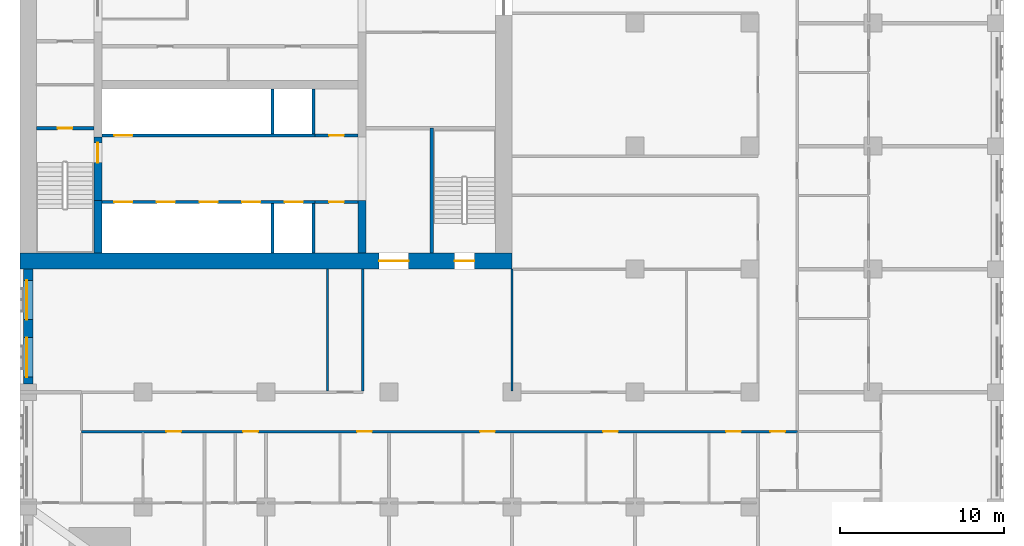
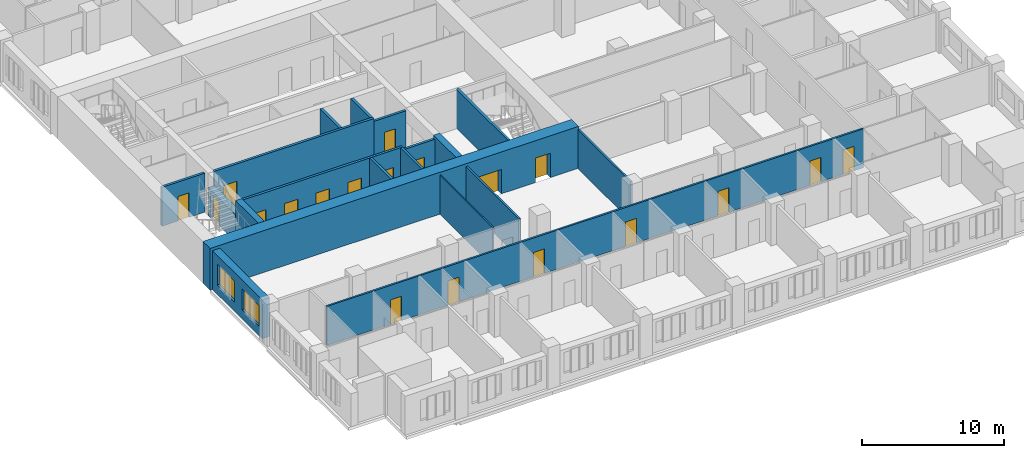
# One storey, part 5 of 14: 19 doors, 19 walls, 2 windows, 21 openings.
"""IFC4 building model written with IfcOpenShell, lengths in metres."""

import ifcopenshell
import ifcopenshell.guid

model = None  # the IFC model being written
_history = None  # IfcOwnerHistory: only IFC2X3 demands one
_inside = {}  # id of a spatial element -> (the spatial element, [elements in it])
_under = {}  # id of a project, library or spatial element -> (it, [spatial elements below it])
_declared = {}  # id of a project -> (the project, [libraries it declares])
_typed = {}  # id of a type object -> (the type object, [elements of that type])
_made_of = {}  # id of a material, layer set ... -> (it, [elements and type objects made of it])


def new_model(schema):
    """Start an empty IFC model of exactly this schema.

    Asked for "IFC4X3", IfcOpenShell would pick the latest addendum, in which some entities
    have other attributes; the version numbers below select the first issue.
    IFC2X3 requires an IfcOwnerHistory on every rooted entity: one is made here for all.
    """
    global model, _history
    if schema == "IFC4X3":
        model = ifcopenshell.file(schema_version=(4, 3, 0, 0))
    else:
        model = ifcopenshell.file(schema=schema)
    _inside.clear()
    _under.clear()
    _declared.clear()
    _typed.clear()
    _made_of.clear()
    _history = None
    if model.schema == "IFC2X3":
        org = make("IfcOrganization", Name="unknown")
        user = make(
            "IfcPersonAndOrganization",
            ThePerson=make("IfcPerson", FamilyName="unknown"),
            TheOrganization=org,
        )
        app = make(
            "IfcApplication",
            ApplicationDeveloper=org,
            Version="unknown",
            ApplicationFullName="unknown",
            ApplicationIdentifier="unknown",
        )
        _history = make(
            "IfcOwnerHistory",
            OwningUser=user,
            OwningApplication=app,
            ChangeAction="ADDED",
            CreationDate=0,
        )
    return model


def make(cls, **values):
    """One entity of the class cls with the attributes given. An attribute that is None is left unset."""
    return model.create_entity(
        cls, **{name: value for name, value in values.items() if value is not None}
    )


def rooted(cls, **values):
    """An entity with a GlobalId (a new one), such as an element, a storey or a relation."""
    return make(cls, GlobalId=ifcopenshell.guid.new(), OwnerHistory=_history, **values)


def si_unit(unit_type, name, prefix=None):
    """IfcSIUnit, for example si_unit("LENGTHUNIT", "METRE", prefix="MILLI")."""
    return make("IfcSIUnit", UnitType=unit_type, Prefix=prefix, Name=name)


def assignment(units):
    """IfcUnitAssignment: the units of a project."""
    return None if units is None else make("IfcUnitAssignment", Units=units)


def point(xyz):
    """IfcCartesianPoint."""
    return None if xyz is None else make("IfcCartesianPoint", Coordinates=xyz)


def direction(xyz):
    """IfcDirection."""
    return None if xyz is None else make("IfcDirection", DirectionRatios=xyz)


def frame(location, z_axis=None, x_axis=None):
    """IfcAxis2Placement3D, a coordinate frame: its origin and axes. An axis left out is left unset."""
    return make(
        "IfcAxis2Placement3D",
        Location=point(location),
        Axis=direction(z_axis),
        RefDirection=direction(x_axis),
    )


def frame_2d(location, x_axis=None):
    """IfcAxis2Placement2D, a coordinate frame in the plane: its origin and x axis."""
    return make(
        "IfcAxis2Placement2D", Location=point(location), RefDirection=direction(x_axis)
    )


def origin():
    """The frame at (0, 0, 0) with its axes left unset."""
    return frame((0.0, 0.0, 0.0))


def place(relative_to, where):
    """IfcLocalPlacement: puts the frame where relative to a parent placement (None: the world)."""
    return make(
        "IfcLocalPlacement", PlacementRelTo=relative_to, RelativePlacement=where
    )


def context(
    kind, dimensions, precision=None, world=None, true_north=None, identifier=None
):
    """IfcGeometricRepresentationContext, for example the 3D "Model" context."""
    return make(
        "IfcGeometricRepresentationContext",
        ContextIdentifier=identifier,
        ContextType=kind,
        CoordinateSpaceDimension=dimensions,
        Precision=precision,
        WorldCoordinateSystem=world,
        TrueNorth=true_north,
    )


def subcontext(parent, identifier, kind, view, scale=None):
    """IfcGeometricRepresentationSubContext, for example "Body" below "Model"."""
    return make(
        "IfcGeometricRepresentationSubContext",
        ContextIdentifier=identifier,
        ContextType=kind,
        ParentContext=parent,
        TargetScale=scale,
        TargetView=view,
    )


def project(units=None, contexts=None):
    """IfcProject with its units and contexts."""
    return rooted(
        "IfcProject",
        Name="project",
        RepresentationContexts=contexts,
        UnitsInContext=assignment(units),
    )


def spatial(cls, under=None, at=None, **own):
    """A site, building, storey or space (cls), placed at a placement, below another one or the project."""
    s = rooted(cls, ObjectPlacement=at, **own)
    if under is not None:
        _under.setdefault(under.id(), (under, []))[1].append(s)
    return s


def profile(cls, at=None, kind="AREA", **sizes):
    """A parametric profile (cls). Its sizes go by their IFC names, for example OverallWidth=200.0."""
    return make(cls, ProfileType=kind, Position=at, **sizes)


def rectangle(**sizes):
    """IfcRectangleProfileDef."""
    return profile("IfcRectangleProfileDef", **sizes)


def extrude(swept, where, along, depth):
    """IfcExtrudedAreaSolid: the profile swept, set in the frame where, extruded along a direction by depth."""
    return make(
        "IfcExtrudedAreaSolid",
        SweptArea=swept,
        Position=where,
        ExtrudedDirection=direction(along),
        Depth=depth,
    )


def shape(context_of_items, identifier, shape_type, items):
    """IfcShapeRepresentation: the items that make up one representation, for example the "Body"."""
    return make(
        "IfcShapeRepresentation",
        ContextOfItems=context_of_items,
        RepresentationIdentifier=identifier,
        RepresentationType=shape_type,
        Items=items,
    )


def material(Name=None, Category=None):
    """IfcMaterial."""
    return make("IfcMaterial", Name=Name, Category=Category)


def layer(
    of_material, thickness, ventilated=None, Name=None, Category=None, Priority=None
):
    """IfcMaterialLayer: one layer of a wall or slab, of a material (None: an air gap)."""
    return make(
        "IfcMaterialLayer",
        Material=of_material,
        LayerThickness=thickness,
        IsVentilated=ventilated,
        Name=Name,
        Category=Category,
        Priority=Priority,
    )


def layer_set(layers, Name=None):
    """IfcMaterialLayerSet."""
    return make("IfcMaterialLayerSet", MaterialLayers=layers, LayerSetName=Name)


def made_of(thing, what):
    """Note that an element or type object is made of a material, layer set ...; save() writes the relation."""
    if what is not None:
        _made_of.setdefault(what.id(), (what, []))[1].append(thing)
    return thing


def type_object(cls, material=None, **own):
    """A type object (cls), such as IfcWallType, which elements share."""
    return made_of(rooted(cls, **own), material)


def element(
    cls,
    number,
    at=None,
    inside=None,
    cuts=None,
    type_object=None,
    material=None,
    context=None,
    identifier="Body",
    shape_type=None,
    held_by="IfcProductDefinitionShape",
    body=None,
    shapes=None,
    **own,
):
    """One element of the class cls, such as IfcWall. Its Tag is "e" and its number.

    at: its placement. inside: the storey or other place that contains it. cuts: it is an
    opening in that element (IfcRelVoidsElement). A single representation is given by context,
    identifier, shape_type and body (its items); several are given by shapes. held_by: the class
    of the entity that holds the representations. save() writes the other relations.
    """
    e = rooted(cls, Tag="e%d" % number, ObjectPlacement=at, **own)
    if body is not None:
        shapes = [shape(context, identifier, shape_type, body)]
    if shapes is not None:
        e.Representation = make(held_by, Representations=shapes)
    if inside is not None:
        _inside.setdefault(inside.id(), (inside, []))[1].append(e)
    if cuts is not None:
        rooted(
            "IfcRelVoidsElement", RelatingBuildingElement=cuts, RelatedOpeningElement=e
        )
    if type_object is not None:
        _typed.setdefault(type_object.id(), (type_object, []))[1].append(e)
    return made_of(e, material)


def fill(opening, filler):
    """IfcRelFillsElement: the door or window that sits in an opening."""
    return rooted(
        "IfcRelFillsElement",
        RelatingOpeningElement=opening,
        RelatedBuildingElement=filler,
    )


def aggregate(whole, parts):
    """IfcRelAggregates: a whole, such as a stair, and the parts it consists of."""
    return rooted("IfcRelAggregates", RelatingObject=whole, RelatedObjects=parts)


def save(model, path):
    """Write the relations noted so far, then the file.

    IfcRelAggregates (storeys below a building ...), IfcRelContainedInSpatialStructure (elements
    in a storey), IfcRelDefinesByType, IfcRelAssociatesMaterial and IfcRelDeclares: one each for
    every whole, place, type object, material and project.
    """
    for whole, parts in _under.values():
        aggregate(whole, parts)
    for where, things in _inside.values():
        rooted(
            "IfcRelContainedInSpatialStructure",
            RelatedElements=things,
            RelatingStructure=where,
        )
    for kind, things in _typed.values():
        rooted("IfcRelDefinesByType", RelatedObjects=things, RelatingType=kind)
    for what, things in _made_of.values():
        rooted("IfcRelAssociatesMaterial", RelatedObjects=things, RelatingMaterial=what)
    for by, libraries in _declared.values():
        rooted("IfcRelDeclares", RelatingContext=by, RelatedDefinitions=libraries)
    model.write(path)


model = new_model("IFC4")

# Units and contexts
model_context = context("Model", 3, precision=1e-05, world=origin(), true_north=direction((0.0, 1.0)))
body_context = subcontext(model_context, "Body", "Model", "MODEL_VIEW")
ifc_project = project(units=[si_unit("LENGTHUNIT", "METRE"), si_unit("AREAUNIT", "SQUARE_METRE"), si_unit("VOLUMEUNIT", "CUBIC_METRE"), si_unit("PLANEANGLEUNIT", "RADIAN"), si_unit("MASSUNIT", "GRAM", prefix="KILO")], contexts=[model_context])

# Site, building, storey
site_placement = place(None, origin())
site = spatial("IfcSite", under=ifc_project, at=site_placement, CompositionType="ELEMENT")
building_placement = place(site_placement, origin())
building = spatial("IfcBuilding", under=site, at=building_placement, Name="Tamorin Gate", CompositionType="ELEMENT")
storey_placement = place(building_placement, frame((0.0, 0.0, 86.300048828125)))
storey = spatial("IfcBuildingStorey", under=building, at=storey_placement, Name="L20", CompositionType="ELEMENT", Elevation=86.300048828125)

# Wall, openings, windows
ifc_material_1 = material(Name="Precast concrete C40/50", Category="concrete")
ifc_layer_1 = layer(ifc_material_1, 0.60009765625)
ifc_layer_set_1 = layer_set([ifc_layer_1], Name="Precast concrete C40/50")
wall_type_1 = type_object("IfcWallType", Name="Board-marked concrete facade panel 600", PredefinedType="SOLIDWALL", material=ifc_layer_set_1)
wall_1_placement = place(storey_placement, frame((30.5, 60.0, 0.0), z_axis=(0.0, 0.0, 1.0), x_axis=(0.0, -1.0, 0.0)))
wall_1 = element("IfcWall", 1, at=wall_1_placement, inside=storey, type_object=wall_type_1, Name="Facade panel", PredefinedType="SOLIDWALL", context=body_context, shape_type="SweptSolid", body=[
    extrude(rectangle(XDim=7.0, YDim=0.60009765625, at=frame_2d((3.5, 0.0))), origin(), (0.0, 0.0, 1.0), 3.349853515625),
])
opening_1_placement = place(wall_1_placement, frame((4.175048828125, 0.0, 0.800048828125)))
opening_1 = element("IfcOpeningElement", 2, at=opening_1_placement, cuts=wall_1, Name="Opening WN1", PredefinedType="OPENING", context=body_context, shape_type="SweptSolid", body=[
    extrude(rectangle(XDim=2.39990234375, YDim=1.800048828125, at=frame_2d((1.199951171875, 0.89990234375))), frame((0.0, 0.31005859375, 0.0), z_axis=(0.0, -1.0, 0.0), x_axis=(1.0, 0.0, 0.0)), (0.0, 0.0, 1.0), 0.6201171875),
])
opening_2_placement = place(wall_1_placement, frame((0.675048828125, 0.0, 0.800048828125)))
opening_2 = element("IfcOpeningElement", 3, at=opening_2_placement, cuts=wall_1, Name="Opening WN1", PredefinedType="OPENING", context=body_context, shape_type="SweptSolid", body=[
    extrude(rectangle(XDim=2.39990234375, YDim=1.800048828125, at=frame_2d((1.199951171875, 0.89990234375))), frame((0.0, 0.31005859375, 0.0), z_axis=(0.0, -1.0, 0.0), x_axis=(1.0, 0.0, 0.0)), (0.0, 0.0, 1.0), 0.6201171875),
])
ifc_material_2 = material(Name="Clear glass in aluminium frame", Category="aluminium")
window_type = type_object("IfcWindowType", Name="Deep-set window 2400x1800", PartitioningType="SINGLE_PANEL", PredefinedType="WINDOW", material=ifc_material_2)
window_1_placement = place(opening_1_placement, origin())
window_1 = element("IfcWindow", 4, at=window_1_placement, inside=storey, type_object=window_type, Name="Deep-set window", OverallHeight=1.800048828125, OverallWidth=2.39990234375, PartitioningType="SINGLE_PANEL", PredefinedType="WINDOW", context=body_context, shape_type="SweptSolid", body=[
    extrude(rectangle(XDim=2.39990234375, YDim=1.800048828125, at=frame_2d((1.199951171875, 0.89990234375))), frame((0.0, -0.070068359375, 0.0), z_axis=(0.0, -1.0, 0.0), x_axis=(1.0, 0.0, 0.0)), (0.0, 0.0, 1.0), 0.06005859375),
])
fill(opening_1, window_1)
window_2_placement = place(opening_2_placement, origin())
window_2 = element("IfcWindow", 5, at=window_2_placement, inside=storey, type_object=window_type, Name="Deep-set window", OverallHeight=1.800048828125, OverallWidth=2.39990234375, PartitioningType="SINGLE_PANEL", PredefinedType="WINDOW", context=body_context, shape_type="SweptSolid", body=[
    extrude(rectangle(XDim=2.39990234375, YDim=1.800048828125, at=frame_2d((1.199951171875, 0.89990234375))), frame((0.0, -0.070068359375, 0.0), z_axis=(0.0, -1.0, 0.0), x_axis=(1.0, 0.0, 0.0)), (0.0, 0.0, 1.0), 0.06005859375),
])
fill(opening_2, window_2)

# Wall, openings, doors
ifc_material_3 = material(Name="Gypsum board partition")
ifc_layer_2 = layer(ifc_material_3, 0.14990234375)
ifc_layer_set_2 = layer_set([ifc_layer_2], Name="Corridor wall 150")
wall_type_2 = type_object("IfcWallType", Name="Corridor wall 150", PredefinedType="PARTITIONING", material=ifc_layer_set_2)
wall_2_placement = place(storey_placement, frame((33.75, 50.10009765625, 0.0), z_axis=(0.0, 0.0, 1.0), x_axis=(1.0, 0.0, 0.0)))
wall_2 = element("IfcWall", 6, at=wall_2_placement, inside=storey, type_object=wall_type_2, Name="Corridor wall 150", PredefinedType="PARTITIONING", context=body_context, shape_type="SweptSolid", body=[
    extrude(rectangle(XDim=43.64990234375, YDim=0.14990234375, at=frame_2d((21.824951171875, 0.0))), origin(), (0.0, 0.0, 1.0), 3.349853515625),
])
opening_3_placement = place(wall_2_placement, frame((5.175048828125, 0.0, 0.0)))
opening_3 = element("IfcOpeningElement", 7, at=opening_3_placement, cuts=wall_2, Name="Opening DH7003", PredefinedType="OPENING", context=body_context, shape_type="SweptSolid", body=[
    extrude(rectangle(XDim=0.89990234375, YDim=2.10009765625, at=frame_2d((0.449951171875, 1.050048828125))), frame((0.0, 0.0849609375, 0.0), z_axis=(0.0, -1.0, 0.0), x_axis=(1.0, 0.0, 0.0)), (0.0, 0.0, 1.0), 0.169921875),
])
opening_4_placement = place(wall_2_placement, frame((9.862548828125, 0.0, 0.0)))
opening_4 = element("IfcOpeningElement", 8, at=opening_4_placement, cuts=wall_2, Name="Opening DH7006", PredefinedType="OPENING", context=body_context, shape_type="SweptSolid", body=[
    extrude(rectangle(XDim=0.89990234375, YDim=2.10009765625, at=frame_2d((0.449951171875, 1.050048828125))), frame((0.0, 0.0849609375, 0.0), z_axis=(0.0, -1.0, 0.0), x_axis=(1.0, 0.0, 0.0)), (0.0, 0.0, 1.0), 0.169921875),
])
opening_5_placement = place(wall_2_placement, frame((16.800048828125, 0.0, 0.0)))
opening_5 = element("IfcOpeningElement", 9, at=opening_5_placement, cuts=wall_2, Name="Opening DH7009", PredefinedType="OPENING", context=body_context, shape_type="SweptSolid", body=[
    extrude(rectangle(XDim=0.89990234375, YDim=2.10009765625, at=frame_2d((0.449951171875, 1.050048828125))), frame((0.0, 0.0849609375, 0.0), z_axis=(0.0, -1.0, 0.0), x_axis=(1.0, 0.0, 0.0)), (0.0, 0.0, 1.0), 0.169921875),
])
opening_6_placement = place(wall_2_placement, frame((24.300048828125, 0.0, 0.0)))
opening_6 = element("IfcOpeningElement", 10, at=opening_6_placement, cuts=wall_2, Name="Opening DH7012", PredefinedType="OPENING", context=body_context, shape_type="SweptSolid", body=[
    extrude(rectangle(XDim=0.89990234375, YDim=2.10009765625, at=frame_2d((0.449951171875, 1.050048828125))), frame((0.0, 0.0849609375, 0.0), z_axis=(0.0, -1.0, 0.0), x_axis=(1.0, 0.0, 0.0)), (0.0, 0.0, 1.0), 0.169921875),
])
opening_7_placement = place(wall_2_placement, frame((31.800048828125, 0.0, 0.0)))
opening_7 = element("IfcOpeningElement", 11, at=opening_7_placement, cuts=wall_2, Name="Opening DH7015", PredefinedType="OPENING", context=body_context, shape_type="SweptSolid", body=[
    extrude(rectangle(XDim=0.89990234375, YDim=2.10009765625, at=frame_2d((0.449951171875, 1.050048828125))), frame((0.0, 0.0849609375, 0.0), z_axis=(0.0, -1.0, 0.0), x_axis=(1.0, 0.0, 0.0)), (0.0, 0.0, 1.0), 0.169921875),
])
opening_8_placement = place(wall_2_placement, frame((39.300048828125, 0.0, 0.0)))
opening_8 = element("IfcOpeningElement", 12, at=opening_8_placement, cuts=wall_2, Name="Opening DH7018", PredefinedType="OPENING", context=body_context, shape_type="SweptSolid", body=[
    extrude(rectangle(XDim=0.89990234375, YDim=2.10009765625, at=frame_2d((0.449951171875, 1.050048828125))), frame((0.0, 0.0849609375, 0.0), z_axis=(0.0, -1.0, 0.0), x_axis=(1.0, 0.0, 0.0)), (0.0, 0.0, 1.0), 0.169921875),
])
opening_9_placement = place(wall_2_placement, frame((42.0, 0.0, 0.0)))
opening_9 = element("IfcOpeningElement", 13, at=opening_9_placement, cuts=wall_2, Name="Opening DH7054", PredefinedType="OPENING", context=body_context, shape_type="SweptSolid", body=[
    extrude(rectangle(XDim=0.89990234375, YDim=2.10009765625, at=frame_2d((0.449951171875, 1.050048828125))), frame((0.0, 0.0849609375, 0.0), z_axis=(0.0, -1.0, 0.0), x_axis=(1.0, 0.0, 0.0)), (0.0, 0.0, 1.0), 0.169921875),
])
ifc_material_4 = material(Name="Timber door leaf", Category="wood")
door_type_1 = type_object("IfcDoorType", Name="Door 900 x 2100 FD30S", OperationType="NOTDEFINED", PredefinedType="DOOR", material=ifc_material_4)
door_1_placement = place(opening_3_placement, origin())
door_1 = element("IfcDoor", 14, at=door_1_placement, inside=storey, type_object=door_type_1, Name="Door DH7003", OperationType="SINGLE_SWING_RIGHT", OverallHeight=2.10009765625, OverallWidth=0.89990234375, PredefinedType="DOOR", context=body_context, shape_type="SweptSolid", body=[
    extrude(rectangle(XDim=0.89990234375, YDim=2.10009765625, at=frame_2d((0.449951171875, 1.050048828125))), frame((0.0, 0.02490234375, 0.0), z_axis=(0.0, -1.0, 0.0), x_axis=(1.0, 0.0, 0.0)), (0.0, 0.0, 1.0), 0.050048828125),
])
fill(opening_3, door_1)
door_2_placement = place(opening_4_placement, origin())
door_2 = element("IfcDoor", 15, at=door_2_placement, inside=storey, type_object=door_type_1, Name="Door DH7006", OperationType="SINGLE_SWING_RIGHT", OverallHeight=2.10009765625, OverallWidth=0.89990234375, PredefinedType="DOOR", context=body_context, shape_type="SweptSolid", body=[
    extrude(rectangle(XDim=0.89990234375, YDim=2.10009765625, at=frame_2d((0.449951171875, 1.050048828125))), frame((0.0, 0.02490234375, 0.0), z_axis=(0.0, -1.0, 0.0), x_axis=(1.0, 0.0, 0.0)), (0.0, 0.0, 1.0), 0.050048828125),
])
fill(opening_4, door_2)
door_3_placement = place(opening_5_placement, origin())
door_3 = element("IfcDoor", 16, at=door_3_placement, inside=storey, type_object=door_type_1, Name="Door DH7009", OperationType="SINGLE_SWING_RIGHT", OverallHeight=2.10009765625, OverallWidth=0.89990234375, PredefinedType="DOOR", context=body_context, shape_type="SweptSolid", body=[
    extrude(rectangle(XDim=0.89990234375, YDim=2.10009765625, at=frame_2d((0.449951171875, 1.050048828125))), frame((0.0, 0.02490234375, 0.0), z_axis=(0.0, -1.0, 0.0), x_axis=(1.0, 0.0, 0.0)), (0.0, 0.0, 1.0), 0.050048828125),
])
fill(opening_5, door_3)
door_4_placement = place(opening_6_placement, origin())
door_4 = element("IfcDoor", 17, at=door_4_placement, inside=storey, type_object=door_type_1, Name="Door DH7012", OperationType="SINGLE_SWING_RIGHT", OverallHeight=2.10009765625, OverallWidth=0.89990234375, PredefinedType="DOOR", context=body_context, shape_type="SweptSolid", body=[
    extrude(rectangle(XDim=0.89990234375, YDim=2.10009765625, at=frame_2d((0.449951171875, 1.050048828125))), frame((0.0, 0.02490234375, 0.0), z_axis=(0.0, -1.0, 0.0), x_axis=(1.0, 0.0, 0.0)), (0.0, 0.0, 1.0), 0.050048828125),
])
fill(opening_6, door_4)
door_5_placement = place(opening_7_placement, origin())
door_5 = element("IfcDoor", 18, at=door_5_placement, inside=storey, type_object=door_type_1, Name="Door DH7015", OperationType="SINGLE_SWING_RIGHT", OverallHeight=2.10009765625, OverallWidth=0.89990234375, PredefinedType="DOOR", context=body_context, shape_type="SweptSolid", body=[
    extrude(rectangle(XDim=0.89990234375, YDim=2.10009765625, at=frame_2d((0.449951171875, 1.050048828125))), frame((0.0, 0.02490234375, 0.0), z_axis=(0.0, -1.0, 0.0), x_axis=(1.0, 0.0, 0.0)), (0.0, 0.0, 1.0), 0.050048828125),
])
fill(opening_7, door_5)
door_6_placement = place(opening_8_placement, origin())
door_6 = element("IfcDoor", 19, at=door_6_placement, inside=storey, type_object=door_type_1, Name="Door DH7018", OperationType="SINGLE_SWING_RIGHT", OverallHeight=2.10009765625, OverallWidth=0.89990234375, PredefinedType="DOOR", context=body_context, shape_type="SweptSolid", body=[
    extrude(rectangle(XDim=0.89990234375, YDim=2.10009765625, at=frame_2d((0.449951171875, 1.050048828125))), frame((0.0, 0.02490234375, 0.0), z_axis=(0.0, -1.0, 0.0), x_axis=(1.0, 0.0, 0.0)), (0.0, 0.0, 1.0), 0.050048828125),
])
fill(opening_8, door_6)
door_7_placement = place(opening_9_placement, origin())
door_7 = element("IfcDoor", 20, at=door_7_placement, inside=storey, type_object=door_type_1, Name="Door DH7054", OperationType="SINGLE_SWING_LEFT", OverallHeight=2.10009765625, OverallWidth=0.89990234375, PredefinedType="DOOR", context=body_context, shape_type="SweptSolid", body=[
    extrude(rectangle(XDim=0.89990234375, YDim=2.10009765625, at=frame_2d((0.449951171875, 1.050048828125))), frame((0.0, 0.02490234375, 0.0), z_axis=(0.0, -1.0, 0.0), x_axis=(1.0, 0.0, 0.0)), (0.0, 0.0, 1.0), 0.050048828125),
])
fill(opening_9, door_7)

ifc_material_5 = material(Name="Concrete C32/40", Category="concrete")
ifc_layer_3 = layer(ifc_material_5, 0.199951171875)
ifc_layer_set_3 = layer_set([ifc_layer_3], Name="Lift lobby face wall 200 EI 120")
wall_type_3 = type_object("IfcWallType", Name="Lift lobby face wall 200 EI 120", PredefinedType="SOLIDWALL", material=ifc_layer_set_3)
wall_3_placement = place(storey_placement, frame((35.0, 64.10009765625, 0.0), z_axis=(0.0, 0.0, 1.0), x_axis=(1.0, 0.0, 0.0)))
wall_3 = element("IfcWall", 21, at=wall_3_placement, inside=storey, type_object=wall_type_3, Name="Lift lobby face wall", PredefinedType="SOLIDWALL", context=body_context, shape_type="SweptSolid", body=[
    extrude(rectangle(XDim=13.0, YDim=0.199951171875, at=frame_2d((6.5, 0.0))), origin(), (0.0, 0.0, 1.0), 3.599853515625),
])
opening_10_placement = place(wall_3_placement, frame((0.75, 0.0, 0.0)))
opening_10 = element("IfcOpeningElement", 22, at=opening_10_placement, cuts=wall_3, Name="Opening LD1", PredefinedType="OPENING", context=body_context, shape_type="SweptSolid", body=[
    extrude(rectangle(XDim=1.10009765625, YDim=2.10009765625, at=frame_2d((0.550048828125, 1.050048828125))), frame((0.0, 0.10986328125, 0.0), z_axis=(0.0, -1.0, 0.0), x_axis=(1.0, 0.0, 0.0)), (0.0, 0.0, 1.0), 0.219970703125),
])
opening_11_placement = place(wall_3_placement, frame((3.35009765625, 0.0, 0.0)))
opening_11 = element("IfcOpeningElement", 23, at=opening_11_placement, cuts=wall_3, Name="Opening LD2", PredefinedType="OPENING", context=body_context, shape_type="SweptSolid", body=[
    extrude(rectangle(XDim=1.10009765625, YDim=2.10009765625, at=frame_2d((0.550048828125, 1.050048828125))), frame((0.0, 0.10986328125, 0.0), z_axis=(0.0, -1.0, 0.0), x_axis=(1.0, 0.0, 0.0)), (0.0, 0.0, 1.0), 0.219970703125),
])
opening_12_placement = place(wall_3_placement, frame((5.949951171875, 0.0, 0.0)))
opening_12 = element("IfcOpeningElement", 24, at=opening_12_placement, cuts=wall_3, Name="Opening LD3", PredefinedType="OPENING", context=body_context, shape_type="SweptSolid", body=[
    extrude(rectangle(XDim=1.10009765625, YDim=2.10009765625, at=frame_2d((0.550048828125, 1.050048828125))), frame((0.0, 0.10986328125, 0.0), z_axis=(0.0, -1.0, 0.0), x_axis=(1.0, 0.0, 0.0)), (0.0, 0.0, 1.0), 0.219970703125),
])
opening_13_placement = place(wall_3_placement, frame((8.550048828125, 0.0, 0.0)))
opening_13 = element("IfcOpeningElement", 25, at=opening_13_placement, cuts=wall_3, Name="Opening LD4", PredefinedType="OPENING", context=body_context, shape_type="SweptSolid", body=[
    extrude(rectangle(XDim=1.10009765625, YDim=2.10009765625, at=frame_2d((0.550048828125, 1.050048828125))), frame((0.0, 0.10986328125, 0.0), z_axis=(0.0, -1.0, 0.0), x_axis=(1.0, 0.0, 0.0)), (0.0, 0.0, 1.0), 0.219970703125),
])
opening_14_placement = place(wall_3_placement, frame((11.14990234375, 0.0, 0.0)))
opening_14 = element("IfcOpeningElement", 26, at=opening_14_placement, cuts=wall_3, Name="Opening LD5", PredefinedType="OPENING", context=body_context, shape_type="SweptSolid", body=[
    extrude(rectangle(XDim=1.10009765625, YDim=2.10009765625, at=frame_2d((0.550048828125, 1.050048828125))), frame((0.0, 0.10986328125, 0.0), z_axis=(0.0, -1.0, 0.0), x_axis=(1.0, 0.0, 0.0)), (0.0, 0.0, 1.0), 0.219970703125),
])
ifc_material_6 = material(Name="Stainless steel sliding door", Category="steel")
door_type_2 = type_object("IfcDoorType", Name="Lift landing door 1100 x 2100 E 90", OperationType="DOUBLE_DOOR_SLIDING", PredefinedType="DOOR", material=ifc_material_6)
door_8_placement = place(opening_10_placement, origin())
door_8 = element("IfcDoor", 27, at=door_8_placement, inside=storey, type_object=door_type_2, Name="LR1 landing door", OperationType="DOUBLE_DOOR_SLIDING", OverallHeight=2.10009765625, OverallWidth=1.10009765625, PredefinedType="DOOR", context=body_context, shape_type="SweptSolid", body=[
    extrude(rectangle(XDim=1.10009765625, YDim=2.10009765625, at=frame_2d((0.550048828125, 1.050048828125))), frame((0.0, 0.02490234375, 0.0), z_axis=(0.0, -1.0, 0.0), x_axis=(1.0, 0.0, 0.0)), (0.0, 0.0, 1.0), 0.050048828125),
])
fill(opening_10, door_8)
door_9_placement = place(opening_11_placement, origin())
door_9 = element("IfcDoor", 28, at=door_9_placement, inside=storey, type_object=door_type_2, Name="LR2 landing door", OperationType="DOUBLE_DOOR_SLIDING", OverallHeight=2.10009765625, OverallWidth=1.10009765625, PredefinedType="DOOR", context=body_context, shape_type="SweptSolid", body=[
    extrude(rectangle(XDim=1.10009765625, YDim=2.10009765625, at=frame_2d((0.550048828125, 1.050048828125))), frame((0.0, 0.02490234375, 0.0), z_axis=(0.0, -1.0, 0.0), x_axis=(1.0, 0.0, 0.0)), (0.0, 0.0, 1.0), 0.050048828125),
])
fill(opening_11, door_9)
door_10_placement = place(opening_12_placement, origin())
door_10 = element("IfcDoor", 29, at=door_10_placement, inside=storey, type_object=door_type_2, Name="LR3 landing door", OperationType="DOUBLE_DOOR_SLIDING", OverallHeight=2.10009765625, OverallWidth=1.10009765625, PredefinedType="DOOR", context=body_context, shape_type="SweptSolid", body=[
    extrude(rectangle(XDim=1.10009765625, YDim=2.10009765625, at=frame_2d((0.550048828125, 1.050048828125))), frame((0.0, 0.02490234375, 0.0), z_axis=(0.0, -1.0, 0.0), x_axis=(1.0, 0.0, 0.0)), (0.0, 0.0, 1.0), 0.050048828125),
])
fill(opening_12, door_10)
door_11_placement = place(opening_13_placement, origin())
door_11 = element("IfcDoor", 30, at=door_11_placement, inside=storey, type_object=door_type_2, Name="LR4 landing door", OperationType="DOUBLE_DOOR_SLIDING", OverallHeight=2.10009765625, OverallWidth=1.10009765625, PredefinedType="DOOR", context=body_context, shape_type="SweptSolid", body=[
    extrude(rectangle(XDim=1.10009765625, YDim=2.10009765625, at=frame_2d((0.550048828125, 1.050048828125))), frame((0.0, 0.02490234375, 0.0), z_axis=(0.0, -1.0, 0.0), x_axis=(1.0, 0.0, 0.0)), (0.0, 0.0, 1.0), 0.050048828125),
])
fill(opening_13, door_11)
door_12_placement = place(opening_14_placement, origin())
door_12 = element("IfcDoor", 31, at=door_12_placement, inside=storey, type_object=door_type_2, Name="LR5 landing door", OperationType="DOUBLE_DOOR_SLIDING", OverallHeight=2.10009765625, OverallWidth=1.10009765625, PredefinedType="DOOR", context=body_context, shape_type="SweptSolid", body=[
    extrude(rectangle(XDim=1.10009765625, YDim=2.10009765625, at=frame_2d((0.550048828125, 1.050048828125))), frame((0.0, 0.02490234375, 0.0), z_axis=(0.0, -1.0, 0.0), x_axis=(1.0, 0.0, 0.0)), (0.0, 0.0, 1.0), 0.050048828125),
])
fill(opening_14, door_12)

# Wall, opening, door
wall_4_placement = place(storey_placement, frame((35.0, 68.14990234375, 0.0), z_axis=(0.0, 0.0, 1.0), x_axis=(1.0, 0.0, 0.0)))
wall_4 = element("IfcWall", 32, at=wall_4_placement, inside=storey, type_object=wall_type_3, Name="Lift lobby face wall", PredefinedType="SOLIDWALL", context=body_context, shape_type="SweptSolid", body=[
    extrude(rectangle(XDim=13.0, YDim=0.199951171875, at=frame_2d((6.5, 0.0))), origin(), (0.0, 0.0, 1.0), 3.599853515625),
])
opening_15_placement = place(wall_4_placement, frame((0.75, 0.0, 0.0)))
opening_15 = element("IfcOpeningElement", 33, at=opening_15_placement, cuts=wall_4, Name="Opening LD6", PredefinedType="OPENING", context=body_context, shape_type="SweptSolid", body=[
    extrude(rectangle(XDim=1.10009765625, YDim=2.10009765625, at=frame_2d((0.550048828125, 1.050048828125))), frame((0.0, 0.10986328125, 0.0), z_axis=(0.0, -1.0, 0.0), x_axis=(1.0, 0.0, 0.0)), (0.0, 0.0, 1.0), 0.219970703125),
])
door_13_placement = place(opening_15_placement, origin())
door_13 = element("IfcDoor", 34, at=door_13_placement, inside=storey, type_object=door_type_2, Name="LR6 landing door", OperationType="DOUBLE_DOOR_SLIDING", OverallHeight=2.10009765625, OverallWidth=1.10009765625, PredefinedType="DOOR", context=body_context, shape_type="SweptSolid", body=[
    extrude(rectangle(XDim=1.10009765625, YDim=2.10009765625, at=frame_2d((0.550048828125, 1.050048828125))), frame((0.0, 0.02490234375, 0.0), z_axis=(0.0, -1.0, 0.0), x_axis=(1.0, 0.0, 0.0)), (0.0, 0.0, 1.0), 0.050048828125),
])
fill(opening_15, door_13)

# Walls
ifc_layer_4 = layer(ifc_material_5, 0.199951171875)
ifc_layer_set_4 = layer_set([ifc_layer_4], Name="Lift shaft wall 200 EI 120")
wall_type_4 = type_object("IfcWallType", Name="Lift shaft wall 200 EI 120", PredefinedType="SOLIDWALL", material=ifc_layer_set_4)
for number, where, z_axis, x_axis, name in (
    (35, (45.39990234375, 61.0, 0.0), (0.0, 0.0, 1.0), (0.0, 1.0, 0.0), "Lift shaft wall"),
    (36, (47.89990234375, 61.0, 0.0), (0.0, 0.0, 1.0), (0.0, 1.0, 0.0), "Lift shaft wall"),
):
    element("IfcWall", number, at=place(storey_placement, frame(where, z_axis=z_axis, x_axis=x_axis)), inside=storey, type_object=wall_type_4, Name=name, PredefinedType="SOLIDWALL", context=body_context, shape_type="SweptSolid", body=[
        extrude(rectangle(XDim=3.0, YDim=0.199951171875, at=frame_2d((1.5, 0.0))), origin(), (0.0, 0.0, 1.0), 3.599853515625),
    ])
for number, where, z_axis, x_axis, name in (
    (37, (45.39990234375, 68.25, 0.0), (0.0, 0.0, 1.0), (0.0, 1.0, 0.0), "Lift shaft wall"),
    (38, (47.89990234375, 68.25, 0.0), (0.0, 0.0, 1.0), (0.0, 1.0, 0.0), "Lift shaft wall"),
):
    element("IfcWall", number, at=place(storey_placement, frame(where, z_axis=z_axis, x_axis=x_axis)), inside=storey, type_object=wall_type_4, Name=name, PredefinedType="SOLIDWALL", context=body_context, shape_type="SweptSolid", body=[
        extrude(rectangle(XDim=2.75, YDim=0.199951171875, at=frame_2d((1.375, 0.0))), origin(), (0.0, 0.0, 1.0), 3.599853515625),
    ])
ifc_layer_5 = layer(ifc_material_3, 0.14990234375)
ifc_layer_set_5 = layer_set([ifc_layer_5], Name="Lobby wall 150")
wall_type_5 = type_object("IfcWallType", Name="Lobby wall 150", PredefinedType="PARTITIONING", material=ifc_layer_set_5)
for number, where, z_axis, x_axis, name in (
    (39, (50.89990234375, 52.574951171875, 0.0), (0.0, 0.0, 1.0), (0.0, 1.0, 0.0), "Lobby wall 150"),
    (40, (60.0, 52.574951171875, 0.0), (0.0, 0.0, 1.0), (0.0, 1.0, 0.0), "Lobby wall 150"),
):
    element("IfcWall", number, at=place(storey_placement, frame(where, z_axis=z_axis, x_axis=x_axis)), inside=storey, type_object=wall_type_5, Name=name, PredefinedType="PARTITIONING", context=body_context, shape_type="SweptSolid", body=[
        extrude(rectangle(XDim=7.425048828125, YDim=0.14990234375, at=frame_2d((3.71240234375, 0.0))), origin(), (0.0, 0.0, 1.0), 3.349853515625),
    ])
ifc_material_7 = material(Name="Concrete C80/95", Category="concrete")
ifc_layer_6 = layer(ifc_material_7, 0.5)
ifc_layer_set_6 = layer_set([ifc_layer_6], Name="RC core internal wall 500 C80/95")
wall_type_6 = type_object("IfcWallType", Name="RC core internal wall 500 C80/95", PredefinedType="SHEAR", material=ifc_layer_set_6)
for number, where, z_axis, x_axis, name in (
    (41, (34.75, 61.0, 0.0), (0.0, 0.0, 1.0), (0.0, 1.0, 0.0), "Core cross wall L20"),
    (42, (50.85009765625, 61.0, 0.0), (0.0, 0.0, 1.0), (0.0, 1.0, 0.0), "Core cross wall L20"),
):
    element("IfcWall", number, at=place(storey_placement, frame(where, z_axis=z_axis, x_axis=x_axis)), inside=storey, type_object=wall_type_6, Name=name, PredefinedType="SHEAR", context=body_context, shape_type="SweptSolid", body=[
        extrude(rectangle(XDim=3.199951171875, YDim=0.5, at=frame_2d((1.60009765625, 0.0))), origin(), (0.0, 0.0, 1.0), 3.599853515625),
    ])

# Wall, openings, doors
ifc_layer_7 = layer(ifc_material_7, 1.0)
ifc_layer_set_7 = layer_set([ifc_layer_7], Name="RC core wall 1000 C80/95")
wall_type_7 = type_object("IfcWallType", Name="RC core wall 1000 C80/95", PredefinedType="SHEAR", material=ifc_layer_set_7)
wall_5_placement = place(storey_placement, frame((30.0, 60.5, 0.0), z_axis=(0.0, 0.0, 1.0), x_axis=(1.0, 0.0, 0.0)))
wall_5 = element("IfcWall", 43, at=wall_5_placement, inside=storey, type_object=wall_type_7, Name="Core wall L20", PredefinedType="SHEAR", context=body_context, shape_type="SweptSolid", body=[
    extrude(rectangle(XDim=30.0, YDim=1.0, at=frame_2d((15.0, 0.0))), origin(), (0.0, 0.0, 1.0), 3.599853515625),
])
opening_16_placement = place(wall_5_placement, frame((21.89990234375, 0.0, 0.0)))
opening_16 = element("IfcOpeningElement", 44, at=opening_16_placement, cuts=wall_5, Name="Opening DE1", PredefinedType="OPENING", context=body_context, shape_type="SweptSolid", body=[
    extrude(rectangle(XDim=1.800048828125, YDim=2.10009765625, at=frame_2d((0.89990234375, 1.050048828125))), frame((0.0, 0.510009765625, 0.0), z_axis=(0.0, -1.0, 0.0), x_axis=(1.0, 0.0, 0.0)), (0.0, 0.0, 1.0), 1.02001953125),
])
opening_17_placement = place(wall_5_placement, frame((26.5, 0.0, 0.0)))
opening_17 = element("IfcOpeningElement", 45, at=opening_17_placement, cuts=wall_5, Name="Opening DS1", PredefinedType="OPENING", context=body_context, shape_type="SweptSolid", body=[
    extrude(rectangle(XDim=1.199951171875, YDim=2.10009765625, at=frame_2d((0.60009765625, 1.050048828125))), frame((0.0, 0.510009765625, 0.0), z_axis=(0.0, -1.0, 0.0), x_axis=(1.0, 0.0, 0.0)), (0.0, 0.0, 1.0), 1.02001953125),
])
ifc_material_8 = material(Name="Steel fire door", Category="steel")
door_type_3 = type_object("IfcDoorType", Name="Lobby exit double door 1800 x 2100 EI 60", OperationType="DOUBLE_DOOR_SINGLE_SWING", PredefinedType="DOOR", material=ifc_material_8)
door_14_placement = place(opening_16_placement, origin())
door_14 = element("IfcDoor", 46, at=door_14_placement, inside=storey, type_object=door_type_3, Name="Lift lobby A exit door", OperationType="DOUBLE_DOOR_SINGLE_SWING", OverallHeight=2.10009765625, OverallWidth=1.800048828125, PredefinedType="DOOR", context=body_context, shape_type="SweptSolid", body=[
    extrude(rectangle(XDim=1.800048828125, YDim=2.10009765625, at=frame_2d((0.89990234375, 1.050048828125))), frame((0.0, 0.02490234375, 0.0), z_axis=(0.0, -1.0, 0.0), x_axis=(1.0, 0.0, 0.0)), (0.0, 0.0, 1.0), 0.050048828125),
])
fill(opening_16, door_14)
door_type_4 = type_object("IfcDoorType", Name="Stair door 1200 x 2100 EI 90", OperationType="SINGLE_SWING_LEFT", PredefinedType="DOOR", material=ifc_material_8)
door_15_placement = place(opening_17_placement, origin())
door_15 = element("IfcDoor", 47, at=door_15_placement, inside=storey, type_object=door_type_4, Name="ST3 door", OperationType="SINGLE_SWING_LEFT", OverallHeight=2.10009765625, OverallWidth=1.199951171875, PredefinedType="DOOR", context=body_context, shape_type="SweptSolid", body=[
    extrude(rectangle(XDim=1.199951171875, YDim=2.10009765625, at=frame_2d((0.60009765625, 1.050048828125))), frame((0.0, 0.02490234375, 0.0), z_axis=(0.0, -1.0, 0.0), x_axis=(1.0, 0.0, 0.0)), (0.0, 0.0, 1.0), 0.050048828125),
])
fill(opening_17, door_15)

# Wall
ifc_layer_8 = layer(ifc_material_3, 0.10009765625)
ifc_layer_set_8 = layer_set([ifc_layer_8], Name="Room partition 100")
wall_type_8 = type_object("IfcWallType", Name="Room partition 100", PredefinedType="PARTITIONING", material=ifc_layer_set_8)
wall_6_placement = place(storey_placement, frame((48.75, 52.574951171875, 0.0), z_axis=(0.0, 0.0, 1.0), x_axis=(0.0, 1.0, 0.0)))
element("IfcWall", 48, at=wall_6_placement, inside=storey, type_object=wall_type_8, Name="Room partition 100", PredefinedType="PARTITIONING", context=body_context, shape_type="SweptSolid", body=[
    extrude(rectangle(XDim=7.425048828125, YDim=0.10009765625, at=frame_2d((3.71240234375, 0.0))), origin(), (0.0, 0.0, 1.0), 3.349853515625),
])

# Wall, opening, door
ifc_layer_9 = layer(ifc_material_3, 0.199951171875)
ifc_layer_set_9 = layer_set([ifc_layer_9], Name="Service room face wall 200 EI 60")
wall_type_9 = type_object("IfcWallType", Name="Service room face wall 200 EI 60", PredefinedType="PARTITIONING", material=ifc_layer_set_9)
wall_7_placement = place(storey_placement, frame((48.0, 64.10009765625, 0.0), z_axis=(0.0, 0.0, 1.0), x_axis=(1.0, 0.0, 0.0)))
wall_7 = element("IfcWall", 49, at=wall_7_placement, inside=storey, type_object=wall_type_9, Name="Service room face wall", PredefinedType="PARTITIONING", context=body_context, shape_type="SweptSolid", body=[
    extrude(rectangle(XDim=2.60009765625, YDim=0.199951171875, at=frame_2d((1.300048828125, 0.0))), origin(), (0.0, 0.0, 1.0), 3.349853515625),
])
opening_18_placement = place(wall_7_placement, frame((0.85009765625, 0.0, 0.0)))
opening_18 = element("IfcOpeningElement", 50, at=opening_18_placement, cuts=wall_7, Name="Opening DK1", PredefinedType="OPENING", context=body_context, shape_type="SweptSolid", body=[
    extrude(rectangle(XDim=0.89990234375, YDim=2.10009765625, at=frame_2d((0.449951171875, 1.050048828125))), frame((0.0, 0.10986328125, 0.0), z_axis=(0.0, -1.0, 0.0), x_axis=(1.0, 0.0, 0.0)), (0.0, 0.0, 1.0), 0.219970703125),
])
ifc_material_9 = material(Name="Timber fire door", Category="wood")
door_type_5 = type_object("IfcDoorType", Name="Service room door 900 x 2100 EI 60", OperationType="SINGLE_SWING_LEFT", PredefinedType="DOOR", material=ifc_material_9)
door_16_placement = place(opening_18_placement, origin())
door_16 = element("IfcDoor", 51, at=door_16_placement, inside=storey, type_object=door_type_5, Name="Door Laundry store", OperationType="SINGLE_SWING_RIGHT", OverallHeight=2.10009765625, OverallWidth=0.89990234375, PredefinedType="DOOR", context=body_context, shape_type="SweptSolid", body=[
    extrude(rectangle(XDim=0.89990234375, YDim=2.10009765625, at=frame_2d((0.449951171875, 1.050048828125))), frame((0.0, 0.02490234375, 0.0), z_axis=(0.0, -1.0, 0.0), x_axis=(1.0, 0.0, 0.0)), (0.0, 0.0, 1.0), 0.050048828125),
])
fill(opening_18, door_16)

wall_8_placement = place(storey_placement, frame((48.0, 68.14990234375, 0.0), z_axis=(0.0, 0.0, 1.0), x_axis=(1.0, 0.0, 0.0)))
wall_8 = element("IfcWall", 52, at=wall_8_placement, inside=storey, type_object=wall_type_9, Name="Service room face wall", PredefinedType="PARTITIONING", context=body_context, shape_type="SweptSolid", body=[
    extrude(rectangle(XDim=2.60009765625, YDim=0.199951171875, at=frame_2d((1.300048828125, 0.0))), origin(), (0.0, 0.0, 1.0), 3.349853515625),
])
opening_19_placement = place(wall_8_placement, frame((0.85009765625, 0.0, 0.0)))
opening_19 = element("IfcOpeningElement", 53, at=opening_19_placement, cuts=wall_8, Name="Opening DK1", PredefinedType="OPENING", context=body_context, shape_type="SweptSolid", body=[
    extrude(rectangle(XDim=0.89990234375, YDim=2.10009765625, at=frame_2d((0.449951171875, 1.050048828125))), frame((0.0, 0.10986328125, 0.0), z_axis=(0.0, -1.0, 0.0), x_axis=(1.0, 0.0, 0.0)), (0.0, 0.0, 1.0), 0.219970703125),
])
door_17_placement = place(opening_19_placement, origin())
door_17 = element("IfcDoor", 54, at=door_17_placement, inside=storey, type_object=door_type_5, Name="Door Luggage store", OperationType="SINGLE_SWING_RIGHT", OverallHeight=2.10009765625, OverallWidth=0.89990234375, PredefinedType="DOOR", context=body_context, shape_type="SweptSolid", body=[
    extrude(rectangle(XDim=0.89990234375, YDim=2.10009765625, at=frame_2d((0.449951171875, 1.050048828125))), frame((0.0, 0.02490234375, 0.0), z_axis=(0.0, -1.0, 0.0), x_axis=(1.0, 0.0, 0.0)), (0.0, 0.0, 1.0), 0.050048828125),
])
fill(opening_19, door_17)

ifc_material_10 = material(Name="Concrete C40/50", Category="concrete")
ifc_layer_10 = layer(ifc_material_10, 0.199951171875)
ifc_layer_set_10 = layer_set([ifc_layer_10], Name="Stair enclosure wall 200 EI 120 C40/50")
wall_type_10 = type_object("IfcWallType", Name="Stair enclosure wall 200 EI 120 C40/50", PredefinedType="SOLIDWALL", material=ifc_layer_set_10)
wall_9_placement = place(storey_placement, frame((31.0, 68.60009765625, 0.0), z_axis=(0.0, 0.0, 1.0), x_axis=(1.0, 0.0, 0.0)))
wall_9 = element("IfcWall", 55, at=wall_9_placement, inside=storey, type_object=wall_type_10, Name="Stair enclosure wall", PredefinedType="SOLIDWALL", context=body_context, shape_type="SweptSolid", body=[
    extrude(rectangle(XDim=3.5, YDim=0.199951171875, at=frame_2d((1.75, 0.0))), origin(), (0.0, 0.0, 1.0), 3.349853515625),
])
opening_20_placement = place(wall_9_placement, frame((1.300048828125, 0.0, 0.0)))
opening_20 = element("IfcOpeningElement", 56, at=opening_20_placement, cuts=wall_9, Name="Opening DR1", PredefinedType="OPENING", context=body_context, shape_type="SweptSolid", body=[
    extrude(rectangle(XDim=0.89990234375, YDim=2.10009765625, at=frame_2d((0.449951171875, 1.050048828125))), frame((0.0, 0.10986328125, 0.0), z_axis=(0.0, -1.0, 0.0), x_axis=(1.0, 0.0, 0.0)), (0.0, 0.0, 1.0), 0.219970703125),
])
door_type_6 = type_object("IfcDoorType", Name="Riser access door 900 x 2100 EI 120", OperationType="SINGLE_SWING_LEFT", PredefinedType="DOOR", material=ifc_material_8)
door_18_placement = place(opening_20_placement, origin())
door_18 = element("IfcDoor", 57, at=door_18_placement, inside=storey, type_object=door_type_6, Name="Electrical riser door", OperationType="SINGLE_SWING_LEFT", OverallHeight=2.10009765625, OverallWidth=0.89990234375, PredefinedType="DOOR", context=body_context, shape_type="SweptSolid", body=[
    extrude(rectangle(XDim=0.89990234375, YDim=2.10009765625, at=frame_2d((0.449951171875, 1.050048828125))), frame((0.0, 0.02490234375, 0.0), z_axis=(0.0, -1.0, 0.0), x_axis=(1.0, 0.0, 0.0)), (0.0, 0.0, 1.0), 0.050048828125),
])
fill(opening_20, door_18)

# Wall
wall_10_placement = place(storey_placement, frame((55.10009765625, 61.0, 0.0), z_axis=(0.0, 0.0, 1.0), x_axis=(0.0, 1.0, 0.0)))
element("IfcWall", 58, at=wall_10_placement, inside=storey, type_object=wall_type_10, Name="Stair enclosure wall", PredefinedType="SOLIDWALL", context=body_context, shape_type="SweptSolid", body=[
    extrude(rectangle(XDim=7.60009765625, YDim=0.199951171875, at=frame_2d((3.800048828125, 0.0))), origin(), (0.0, 0.0, 1.0), 3.349853515625),
])

# Wall, opening, door
ifc_layer_11 = layer(ifc_material_5, 0.5)
ifc_layer_set_11 = layer_set([ifc_layer_11], Name="Stair lobby infill wall 500 EI 120")
wall_type_11 = type_object("IfcWallType", Name="Stair lobby infill wall 500 EI 120", PredefinedType="SOLIDWALL", material=ifc_layer_set_11)
wall_11_placement = place(storey_placement, frame((34.75, 64.199951171875, 0.0), z_axis=(0.0, 0.0, 1.0), x_axis=(0.0, 1.0, 0.0)))
wall_11 = element("IfcWall", 59, at=wall_11_placement, inside=storey, type_object=wall_type_11, Name="Stair lobby infill wall", PredefinedType="SOLIDWALL", context=body_context, shape_type="SweptSolid", body=[
    extrude(rectangle(XDim=3.85009765625, YDim=0.5, at=frame_2d((1.925048828125, 0.0))), origin(), (0.0, 0.0, 1.0), 2.39990234375),
])
opening_21_placement = place(wall_11_placement, frame((2.300048828125, 0.0, 0.0)))
opening_21 = element("IfcOpeningElement", 60, at=opening_21_placement, cuts=wall_11, Name="Opening DS1", PredefinedType="OPENING", context=body_context, shape_type="SweptSolid", body=[
    extrude(rectangle(XDim=1.199951171875, YDim=2.10009765625, at=frame_2d((0.60009765625, 1.050048828125))), frame((0.0, 0.260009765625, 0.0), z_axis=(0.0, -1.0, 0.0), x_axis=(1.0, 0.0, 0.0)), (0.0, 0.0, 1.0), 0.52001953125),
])
door_19_placement = place(opening_21_placement, origin())
door_19 = element("IfcDoor", 61, at=door_19_placement, inside=storey, type_object=door_type_4, Name="ST1 door", OperationType="SINGLE_SWING_LEFT", OverallHeight=2.10009765625, OverallWidth=1.199951171875, PredefinedType="DOOR", context=body_context, shape_type="SweptSolid", body=[
    extrude(rectangle(XDim=1.199951171875, YDim=2.10009765625, at=frame_2d((0.60009765625, 1.050048828125))), frame((0.0, 0.02490234375, 0.0), z_axis=(0.0, -1.0, 0.0), x_axis=(1.0, 0.0, 0.0)), (0.0, 0.0, 1.0), 0.050048828125),
])
fill(opening_21, door_19)

save(model, "model.ifc")
